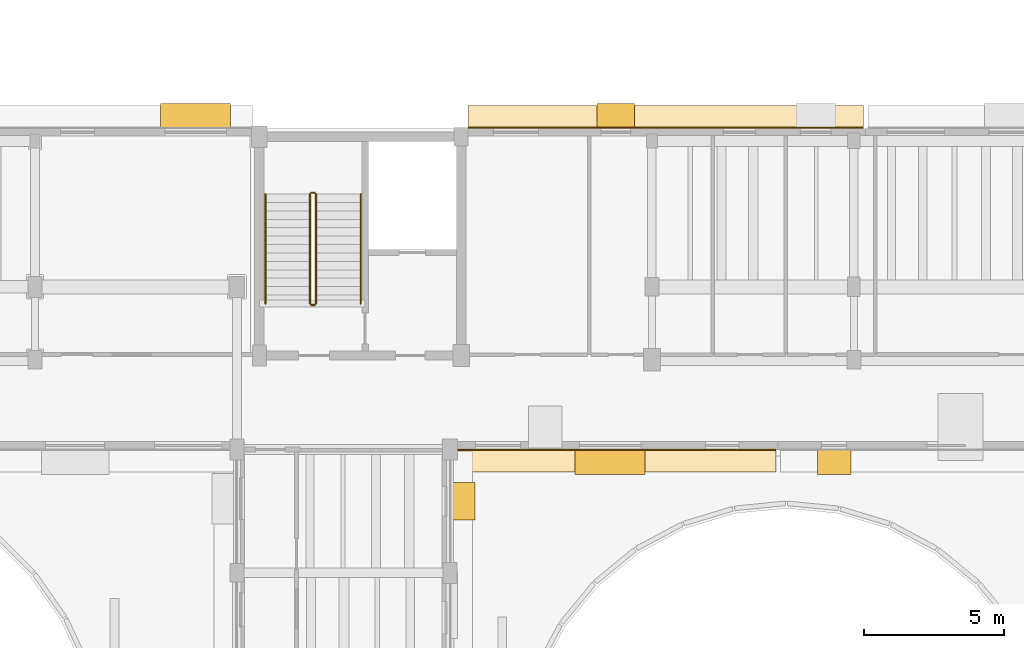
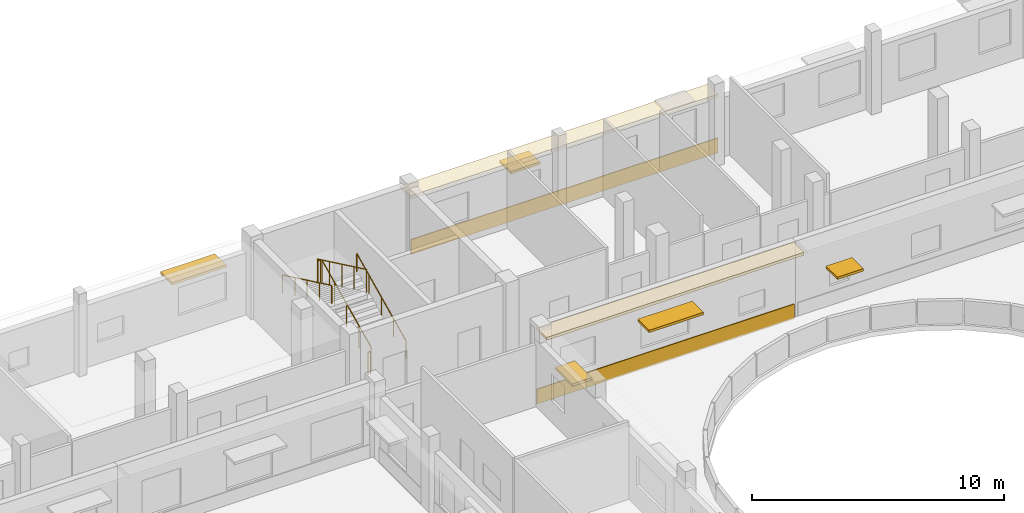
# One storey, part 75 of 78: 6 railings, 5 shading devices, 4 coverings.
"""IFC4 building model written with IfcOpenShell, lengths in metres."""

from ifc_helpers import new_model, si_unit, direction, frame, origin, origin_2d, place, context, subcontext, project, spatial, rectangle, circle, extrude, material, layer, layer_set, type_object, element, save


model = new_model("IFC4")

# Units and contexts
model_context = context("Model", 3, precision=1e-05, world=origin(), true_north=direction((0.0, 1.0)))
body_context = subcontext(model_context, "Body", "Model", "MODEL_VIEW")
ifc_project = project(units=[si_unit("LENGTHUNIT", "METRE"), si_unit("AREAUNIT", "SQUARE_METRE"), si_unit("VOLUMEUNIT", "CUBIC_METRE"), si_unit("PLANEANGLEUNIT", "RADIAN"), si_unit("MASSUNIT", "GRAM", prefix="KILO")], contexts=[model_context])

# Site, building, storey
site_placement = place(None, origin())
site = spatial("IfcSite", under=ifc_project, at=site_placement, CompositionType="ELEMENT")
building_placement = place(site_placement, origin())
building = spatial("IfcBuilding", under=site, at=building_placement, Name="Kelanivale Promenade Academy", CompositionType="ELEMENT")
storey_placement = place(building_placement, frame((0.0, 0.0, 16.199951171875)))
storey = spatial("IfcBuildingStorey", under=building, at=storey_placement, Name="L04", CompositionType="ELEMENT", Elevation=16.199951171875)

# Coverings
ifc_material_1 = material(Name="Warm ivory Art Deco stucco frieze band 40 mm", Category="masonry")
ifc_layer_1 = layer(ifc_material_1, 0.0400390625)
ifc_layer_set_1 = layer_set([ifc_layer_1], Name="Warm ivory Art Deco stucco frieze band 40 mm")
covering_type = type_object("IfcCoveringType", Name="COV-CLD2 Warm ivory Art Deco stucco frieze ba", PredefinedType="CLADDING", material=ifc_layer_set_1)
covering_1_placement = place(storey_placement, frame((92.510009765625, 68.0, 3.6201171875), z_axis=(0.0, 0.0, 1.0), x_axis=(1.0, 0.0, 0.0)))
element("IfcCovering", 1, at=covering_1_placement, inside=storey, type_object=covering_type, Name="Art Deco projecting 820 mm streamline sunshade eyebrow ledge", PredefinedType="CLADDING", context=body_context, shape_type="SweptSolid", body=[
    extrude(rectangle(XDim=11.820068359375, YDim=0.820068359375, at=origin_2d()), origin(), (0.0, 0.0, 1.0), 0.139892578125),
])
covering_2_placement = place(storey_placement, frame((92.510009765625, 68.385009765625, 0.06005859375), z_axis=(0.0, 0.0, 1.0), x_axis=(1.0, 0.0, 0.0)))
element("IfcCovering", 2, at=covering_2_placement, inside=storey, type_object=covering_type, Name="Art Deco ivory stucco sill frieze band", PredefinedType="CLADDING", context=body_context, shape_type="SweptSolid", body=[
    extrude(rectangle(XDim=11.820068359375, YDim=0.0400390625, at=origin_2d()), origin(), (0.0, 0.0, 1.0), 0.719970703125),
])
covering_3_placement = place(storey_placement, frame((94.493896484375, 80.25, 2.76513671875), z_axis=(0.0, 0.0, 1.0), x_axis=(-1.0, 0.0, 0.0)))
element("IfcCovering", 3, at=covering_3_placement, inside=storey, type_object=covering_type, Name="Art Deco projecting 820 mm streamline sunshade eyebrow ledge", PredefinedType="CLADDING", context=body_context, shape_type="SweptSolid", body=[
    extrude(rectangle(XDim=14.097900390625, YDim=0.820068359375, at=origin_2d()), origin(), (0.0, 0.0, 1.0), 0.139892578125),
])
covering_4_placement = place(storey_placement, frame((94.493896484375, 79.864990234375, 0.06005859375), z_axis=(0.0, 0.0, 1.0), x_axis=(-1.0, 0.0, 0.0)))
element("IfcCovering", 4, at=covering_4_placement, inside=storey, type_object=covering_type, Name="Art Deco ivory stucco sill frieze band", PredefinedType="CLADDING", context=body_context, shape_type="SweptSolid", body=[
    extrude(rectangle(XDim=14.097900390625, YDim=0.0400390625, at=origin_2d()), origin(), (0.0, 0.0, 1.0), 0.719970703125),
])

# Railings
ifc_material_2 = material(Name="Brushed stainless steel grade 316", Category="steel")
railing_type_1 = type_object("IfcRailingType", Name="GR-01 Stair Guard 1100mm", PredefinedType="BALUSTRADE", material=ifc_material_2)
railing_1_placement = place(storey_placement, frame((82.02490234375, 73.60498046875, 0.142822265625)))
element("IfcRailing", 5, at=railing_1_placement, inside=storey, type_object=railing_type_1, Name="L04 ST-02 stair guard 1", PredefinedType="BALUSTRADE", context=body_context, shape_type="SweptSolid", body=[
    extrude(circle(Radius=0.02392578125, at=origin_2d()), frame((0.0, 0.0, 1.09619140625), z_axis=(0.0, 0.902853205547, 0.429948937937), x_axis=(-1.0, 0.0, 0.0)), (0.0, 0.0, 1.0), 4.319580078125),
    extrude(circle(Radius=0.02099609375, at=origin_2d()), origin(), (0.0, 0.0, 1.0), 1.072021484375),
    extrude(circle(Radius=0.02099609375, at=origin_2d()), frame((0.0, 0.97509765625, 0.46435546875)), (0.0, 0.0, 1.0), 1.072021484375),
    extrude(circle(Radius=0.02099609375, at=origin_2d()), frame((0.0, 1.949951171875, 0.9287109375)), (0.0, 0.0, 1.0), 1.072021484375),
    extrude(circle(Radius=0.02099609375, at=origin_2d()), frame((0.0, 2.9248046875, 1.392822265625)), (0.0, 0.0, 1.0), 1.072021484375),
    extrude(circle(Radius=0.02099609375, at=origin_2d()), frame((0.0, 3.89990234375, 1.857177734375)), (0.0, 0.0, 1.0), 1.072021484375),
])
railing_2_placement = place(storey_placement, frame((81.97509765625, 77.554931640625, 2.0)))
element("IfcRailing", 6, at=railing_2_placement, inside=storey, type_object=railing_type_1, Name="L04 ST-02 stair guard 2", PredefinedType="BALUSTRADE", context=body_context, shape_type="SweptSolid", body=[
    extrude(circle(Radius=0.02392578125, at=origin_2d()), frame((0.0, 0.0, 1.09619140625), z_axis=(-1.0, 0.0, 0.0), x_axis=(0.0, -1.0, 0.0)), (0.0, 0.0, 1.0), 0.1201171875),
    extrude(circle(Radius=0.02099609375, at=origin_2d()), origin(), (0.0, 0.0, 1.0), 1.072021484375),
    extrude(circle(Radius=0.02099609375, at=origin_2d()), frame((-0.1201171875, 0.0, 0.0)), (0.0, 0.0, 1.0), 1.072021484375),
])
railing_3_placement = place(storey_placement, frame((81.804931640625, 77.5048828125, 2.142822265625)))
element("IfcRailing", 7, at=railing_3_placement, inside=storey, type_object=railing_type_1, Name="L04 ST-02 stair guard 3", PredefinedType="BALUSTRADE", context=body_context, shape_type="SweptSolid", body=[
    extrude(circle(Radius=0.02392578125, at=origin_2d()), frame((0.0, 0.0, 1.09619140625), z_axis=(0.0, -0.902853205547, 0.429948937937), x_axis=(1.0, 0.0, 0.0)), (0.0, 0.0, 1.0), 4.319580078125),
    extrude(circle(Radius=0.02099609375, at=origin_2d()), origin(), (0.0, 0.0, 1.0), 1.072021484375),
    extrude(circle(Radius=0.02099609375, at=origin_2d()), frame((0.0, -0.97509765625, 0.46435546875)), (0.0, 0.0, 1.0), 1.072021484375),
    extrude(circle(Radius=0.02099609375, at=origin_2d()), frame((0.0, -1.949951171875, 0.9287109375)), (0.0, 0.0, 1.0), 1.072021484375),
    extrude(circle(Radius=0.02099609375, at=origin_2d()), frame((0.0, -2.9248046875, 1.392822265625)), (0.0, 0.0, 1.0), 1.072021484375),
    extrude(circle(Radius=0.02099609375, at=origin_2d()), frame((0.0, -3.89990234375, 1.857177734375)), (0.0, 0.0, 1.0), 1.072021484375),
])
railing_4_placement = place(storey_placement, frame((81.97509765625, 73.554931640625, 0.0)))
element("IfcRailing", 8, at=railing_4_placement, inside=storey, type_object=railing_type_1, Name="L04 ST-02 stair guard 4", PredefinedType="BALUSTRADE", context=body_context, shape_type="SweptSolid", body=[
    extrude(circle(Radius=0.02392578125, at=origin_2d()), frame((0.0, 0.0, 1.09619140625), z_axis=(-1.0, 0.0, 0.0), x_axis=(0.0, -1.0, 0.0)), (0.0, 0.0, 1.0), 0.1201171875),
    extrude(circle(Radius=0.02099609375, at=origin_2d()), origin(), (0.0, 0.0, 1.0), 1.072021484375),
    extrude(circle(Radius=0.02099609375, at=origin_2d()), frame((-0.1201171875, 0.0, 0.0)), (0.0, 0.0, 1.0), 1.072021484375),
])
railing_type_2 = type_object("IfcRailingType", Name="HR-01 Pitch Handrail 900mm", PredefinedType="HANDRAIL", material=ifc_material_2)
railing_5_placement = place(storey_placement, frame((83.614990234375, 73.60498046875, 0.142822265625)))
element("IfcRailing", 9, at=railing_5_placement, inside=storey, type_object=railing_type_2, Name="L04 ST-02 stair handrail 1", PredefinedType="HANDRAIL", context=body_context, shape_type="SweptSolid", body=[
    extrude(circle(Radius=0.02392578125, at=origin_2d()), frame((0.0, 0.0, 0.8759765625), z_axis=(0.0, 0.902853205547, 0.429948937937), x_axis=(-1.0, 0.0, 0.0)), (0.0, 0.0, 1.0), 4.319580078125),
    extrude(circle(Radius=0.02099609375, at=origin_2d()), origin(), (0.0, 0.0, 1.0), 0.851806640625),
    extrude(circle(Radius=0.02099609375, at=origin_2d()), frame((0.0, 0.97509765625, 0.46435546875)), (0.0, 0.0, 1.0), 0.851806640625),
    extrude(circle(Radius=0.02099609375, at=origin_2d()), frame((0.0, 1.949951171875, 0.9287109375)), (0.0, 0.0, 1.0), 0.851806640625),
    extrude(circle(Radius=0.02099609375, at=origin_2d()), frame((0.0, 2.9248046875, 1.392822265625)), (0.0, 0.0, 1.0), 0.851806640625),
    extrude(circle(Radius=0.02099609375, at=origin_2d()), frame((0.0, 3.89990234375, 1.857177734375)), (0.0, 0.0, 1.0), 0.851806640625),
])
railing_6_placement = place(storey_placement, frame((80.215087890625, 77.5048828125, 2.142822265625)))
element("IfcRailing", 10, at=railing_6_placement, inside=storey, type_object=railing_type_2, Name="L04 ST-02 stair handrail 2", PredefinedType="HANDRAIL", context=body_context, shape_type="SweptSolid", body=[
    extrude(circle(Radius=0.02392578125, at=origin_2d()), frame((0.0, 0.0, 0.8759765625), z_axis=(0.0, -0.902853205547, 0.429948937937), x_axis=(1.0, 0.0, 0.0)), (0.0, 0.0, 1.0), 4.319580078125),
    extrude(circle(Radius=0.02099609375, at=origin_2d()), origin(), (0.0, 0.0, 1.0), 0.851806640625),
    extrude(circle(Radius=0.02099609375, at=origin_2d()), frame((0.0, -0.97509765625, 0.46435546875)), (0.0, 0.0, 1.0), 0.851806640625),
    extrude(circle(Radius=0.02099609375, at=origin_2d()), frame((0.0, -1.949951171875, 0.9287109375)), (0.0, 0.0, 1.0), 0.851806640625),
    extrude(circle(Radius=0.02099609375, at=origin_2d()), frame((0.0, -2.9248046875, 1.392822265625)), (0.0, 0.0, 1.0), 0.851806640625),
    extrude(circle(Radius=0.02099609375, at=origin_2d()), frame((0.0, -3.89990234375, 1.857177734375)), (0.0, 0.0, 1.0), 0.851806640625),
])

# Shading devices
ifc_material_3 = material(Name="Precast concrete C40/50", Category="concrete")
ifc_layer_2 = layer(ifc_material_3, 0.1201171875)
ifc_layer_set_2 = layer_set([ifc_layer_2], Name="Precast concrete C40/50")
shading_device_type = type_object("IfcShadingDeviceType", Name="SHD-01 Art Deco Sunshade Eyebrow 900mm", PredefinedType="USERDEFINED", material=ifc_layer_set_2)
shading_device_1_placement = place(storey_placement, frame((87.239990234375, 66.550048828125, 2.360107421875), z_axis=(0.0, 0.0, 1.0), x_axis=(0.0, 1.0, 0.0)))
element("IfcShadingDevice", 11, at=shading_device_1_placement, inside=storey, type_object=shading_device_type, Name="Art Deco 900 mm precast chajja window sunshade", ObjectType="SUNSHADE", PredefinedType="USERDEFINED", context=body_context, shape_type="SweptSolid", body=[
    extrude(rectangle(XDim=1.35009765625, YDim=0.89990234375, at=origin_2d()), origin(), (0.0, 0.0, 1.0), 0.1201171875),
])
shading_device_2_placement = place(storey_placement, frame((92.510009765625, 67.9599609375, 2.409912109375), z_axis=(0.0, 0.0, 1.0), x_axis=(1.0, 0.0, 0.0)))
element("IfcShadingDevice", 12, at=shading_device_2_placement, inside=storey, type_object=shading_device_type, Name="Art Deco 900 mm precast chajja window sunshade", ObjectType="SUNSHADE", PredefinedType="USERDEFINED", context=body_context, shape_type="SweptSolid", body=[
    extrude(rectangle(XDim=2.5, YDim=0.89990234375, at=origin_2d()), origin(), (0.0, 0.0, 1.0), 0.1201171875),
])
shading_device_3_placement = place(storey_placement, frame((100.4970703125, 67.9599609375, 1.9599609375), z_axis=(0.0, 0.0, 1.0), x_axis=(1.0, 0.0, 0.0)))
element("IfcShadingDevice", 13, at=shading_device_3_placement, inside=storey, type_object=shading_device_type, Name="Art Deco 900 mm precast chajja window sunshade", ObjectType="SUNSHADE", PredefinedType="USERDEFINED", context=body_context, shape_type="SweptSolid", body=[
    extrude(rectangle(XDim=1.199951171875, YDim=0.89990234375, at=origin_2d()), origin(), (0.0, 0.0, 1.0), 0.1201171875),
])
shading_device_4_placement = place(storey_placement, frame((92.7119140625, 80.2900390625, 2.360107421875), z_axis=(0.0, 0.0, 1.0), x_axis=(-1.0, 0.0, 0.0)))
element("IfcShadingDevice", 14, at=shading_device_4_placement, inside=storey, type_object=shading_device_type, Name="Art Deco 900 mm precast chajja window sunshade", ObjectType="SUNSHADE", PredefinedType="USERDEFINED", context=body_context, shape_type="SweptSolid", body=[
    extrude(rectangle(XDim=1.35009765625, YDim=0.89990234375, at=origin_2d()), origin(), (0.0, 0.0, 1.0), 0.1201171875),
])
shading_device_5_placement = place(storey_placement, frame((77.72900390625, 80.2900390625, 2.409912109375), z_axis=(0.0, 0.0, 1.0), x_axis=(-1.0, 0.0, 0.0)))
element("IfcShadingDevice", 15, at=shading_device_5_placement, inside=storey, type_object=shading_device_type, Name="Art Deco 900 mm precast chajja window sunshade", ObjectType="SUNSHADE", PredefinedType="USERDEFINED", context=body_context, shape_type="SweptSolid", body=[
    extrude(rectangle(XDim=2.5, YDim=0.89990234375, at=origin_2d()), origin(), (0.0, 0.0, 1.0), 0.1201171875),
])

save(model, "model.ifc")
